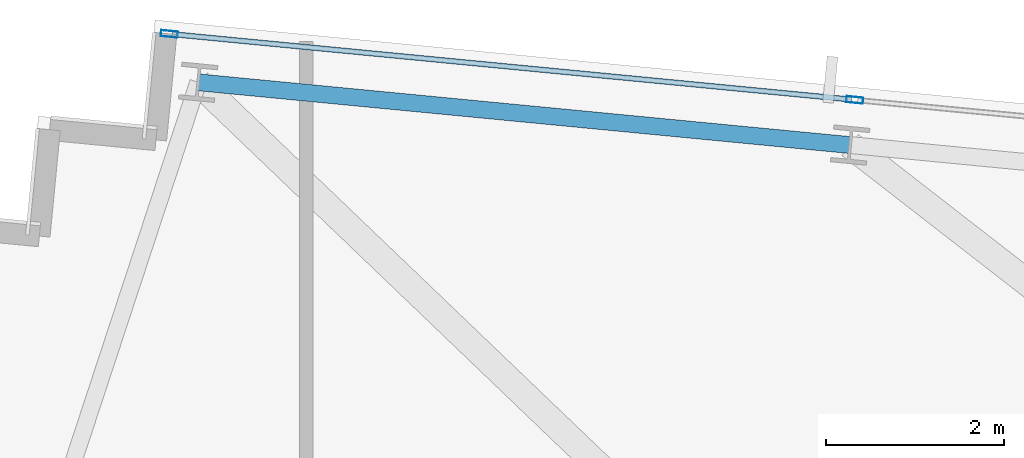
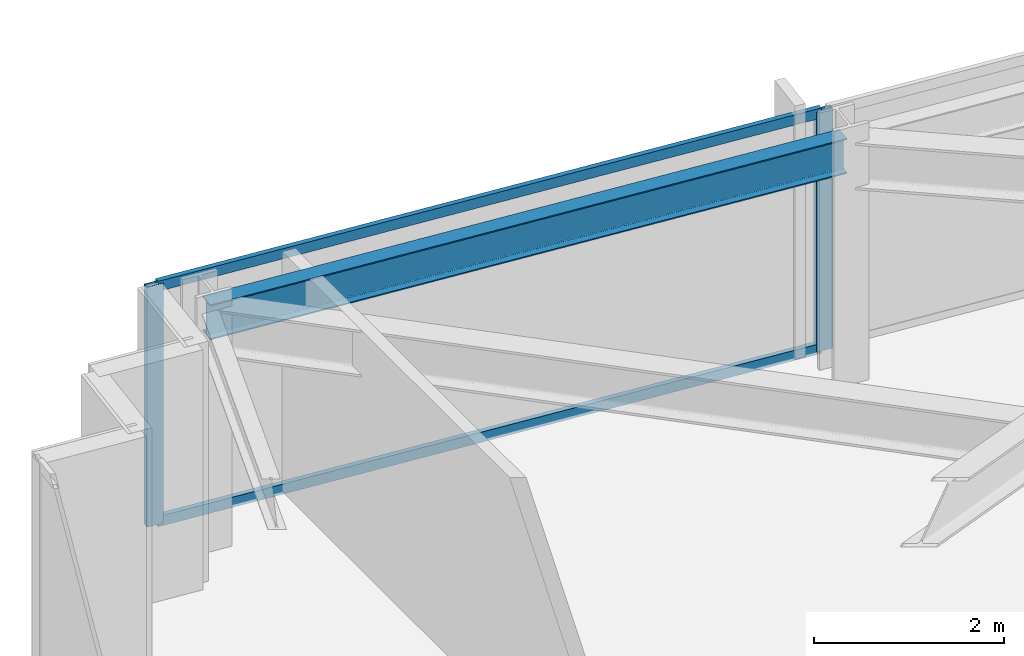
# One storey, part 23 of 37: 4 members, 1 beam, 1 element without a shape of its own.
"""IFC4 building model written with IfcOpenShell, lengths in metres."""

from ifc_helpers import new_model, si_unit, direction, frame, origin, origin_2d, place, context, subcontext, project, spatial, hollow_rectangle, i_section, extrude, material, material_profile, profile_set, type_object, element, aggregate, save


model = new_model("IFC4")

# Units and contexts
model_context = context("Model", 3, precision=1e-05, world=origin(), true_north=direction((0.0, 1.0)))
body_context = subcontext(model_context, "Body", "Model", "MODEL_VIEW")
ifc_project = project(units=[si_unit("LENGTHUNIT", "METRE"), si_unit("AREAUNIT", "SQUARE_METRE"), si_unit("VOLUMEUNIT", "CUBIC_METRE"), si_unit("PLANEANGLEUNIT", "RADIAN"), si_unit("MASSUNIT", "GRAM", prefix="KILO")], contexts=[model_context])

# Site, building, storey
site_placement = place(None, origin())
site = spatial("IfcSite", under=ifc_project, at=site_placement, CompositionType="ELEMENT")
building_placement = place(site_placement, origin())
building = spatial("IfcBuilding", under=site, at=building_placement, Name="Yelkora Congress Tower", CompositionType="ELEMENT")
storey_placement = place(building_placement, frame((0.0, 0.0, 165.5)))
storey = spatial("IfcBuildingStorey", under=building, at=storey_placement, Name="L45", CompositionType="ELEMENT", Elevation=165.5)

# Beam
ifc_material_1 = material(Name="Steel S355J2", Category="steel")
ifc_material_profile_1 = material_profile(ifc_material_1, i_section(OverallWidth=0.18994140625, OverallDepth=0.449951171875, WebThickness=0.009521484375, FlangeThickness=0.0146484375, FilletRadius=0.02099609375, at=origin_2d()), Name="IPE 450")
ifc_profile_set_1 = profile_set([ifc_material_profile_1], Name="Steel S355J2")
beam_type = type_object("IfcBeamType", Name="BM-SPAN-IPE450", PredefinedType="SPANDREL", material=ifc_profile_set_1)
beam_placement = place(storey_placement, frame((14.712158203125, 49.685546875, 2.85498046875), z_axis=(-0.995397104697, 0.095836339457, 0.0), x_axis=(-0.095836339457, -0.995397104697, 0.0)))
element("IfcBeam", 1, at=beam_placement, inside=storey, type_object=beam_type, Name="L45 Perimeter Beam 15", PredefinedType="SPANDREL", context=body_context, shape_type="SweptSolid", body=[
    extrude(i_section(OverallWidth=0.18994140625, OverallDepth=0.449951171875, WebThickness=0.009521484375, FlangeThickness=0.0146484375, FilletRadius=0.02099609375, at=origin_2d()), origin(), (0.0, 0.0, 1.0), 7.357177734375),
])

# Curtain wall, members
ifc_material_2 = material(Name="Anodised aluminium and insulated glass", Category="aluminium")
curtain_wall_type = type_object("IfcCurtainWallType", Name="CW-SYS-B3", PredefinedType="NOTDEFINED", material=ifc_material_2)
curtain_wall_placement = place(storey_placement, origin())
curtain_wall = element("IfcCurtainWall", 2, at=curtain_wall_placement, inside=storey, type_object=curtain_wall_type, Name="L45 Unitised Curtain Wall 10 (1)", PredefinedType="NOTDEFINED")
ifc_material_3 = material(Name="Anodised aluminium 6063-T6", Category="aluminium")
ifc_material_profile_2 = material_profile(ifc_material_3, hollow_rectangle(XDim=0.070068359375, YDim=0.18994140625, WallThickness=0.00390625, at=origin_2d()), Name="ALU 70x190x4")
ifc_profile_set_2 = profile_set([ifc_material_profile_2], Name="Anodised aluminium 6063-T6")
member_type_1 = type_object("IfcMemberType", Name="MEM-ML-B3", PredefinedType="MULLION", material=ifc_profile_set_2)
member_1_placement = place(storey_placement, frame((7.064453125, 50.934326171875, 0.0), z_axis=(0.0, 0.0, 1.0), x_axis=(0.095844761168, 0.995396293823, 0.0)))
member_1 = element("IfcMember", 3, at=member_1_placement, type_object=member_type_1, Name="CW-B3 mullion 1", PredefinedType="MULLION", context=body_context, shape_type="SweptSolid", body=[
    extrude(hollow_rectangle(XDim=0.070068359375, YDim=0.18994140625, WallThickness=0.00390625, at=origin_2d()), origin(), (0.0, 0.0, 1.0), 3.080078125),
])
member_2_placement = place(storey_placement, frame((14.76318359375, 50.19287109375, 0.0), z_axis=(0.0, 0.0, 1.0), x_axis=(0.095844761168, 0.995396293823, 0.0)))
member_2 = element("IfcMember", 4, at=member_2_placement, type_object=member_type_1, Name="CW-B3 mullion 2", PredefinedType="MULLION", context=body_context, shape_type="SweptSolid", body=[
    extrude(hollow_rectangle(XDim=0.070068359375, YDim=0.18994140625, WallThickness=0.00390625, at=origin_2d()), origin(), (0.0, 0.0, 1.0), 3.080078125),
])
ifc_material_profile_3 = material_profile(ifc_material_3, hollow_rectangle(XDim=0.06005859375, YDim=0.1298828125, WallThickness=0.00390625, at=origin_2d()), Name="ALU 60x130x4")
ifc_profile_set_3 = profile_set([ifc_material_profile_3], Name="Anodised aluminium 6063-T6")
member_type_2 = type_object("IfcMemberType", Name="MEM-TR-B3", PredefinedType="USERDEFINED", material=ifc_profile_set_3)
member_3_placement = place(storey_placement, frame((7.099365234375, 50.930908203125, 0.030029296875), z_axis=(0.995395712642, -0.09585079683, 0.0), x_axis=(0.09585079683, 0.995395712642, 0.0)))
member_3 = element("IfcMember", 5, at=member_3_placement, type_object=member_type_2, Name="CW-B3 transom 1.1", ObjectType="TRANSOM", PredefinedType="USERDEFINED", context=body_context, shape_type="SweptSolid", body=[
    extrude(hollow_rectangle(XDim=0.06005859375, YDim=0.1298828125, WallThickness=0.00390625, at=origin_2d()), origin(), (0.0, 0.0, 1.0), 7.664306640625),
])
member_4_placement = place(storey_placement, frame((7.099365234375, 50.930908203125, 3.050048828125), z_axis=(0.995395712642, -0.09585079683, 0.0), x_axis=(0.09585079683, 0.995395712642, 0.0)))
member_4 = element("IfcMember", 6, at=member_4_placement, type_object=member_type_2, Name="CW-B3 transom 1.2", ObjectType="TRANSOM", PredefinedType="USERDEFINED", context=body_context, shape_type="SweptSolid", body=[
    extrude(hollow_rectangle(XDim=0.06005859375, YDim=0.1298828125, WallThickness=0.00390625, at=origin_2d()), origin(), (0.0, 0.0, 1.0), 7.664306640625),
])
aggregate(curtain_wall, [member_1, member_2, member_3, member_4])

save(model, "model.ifc")
